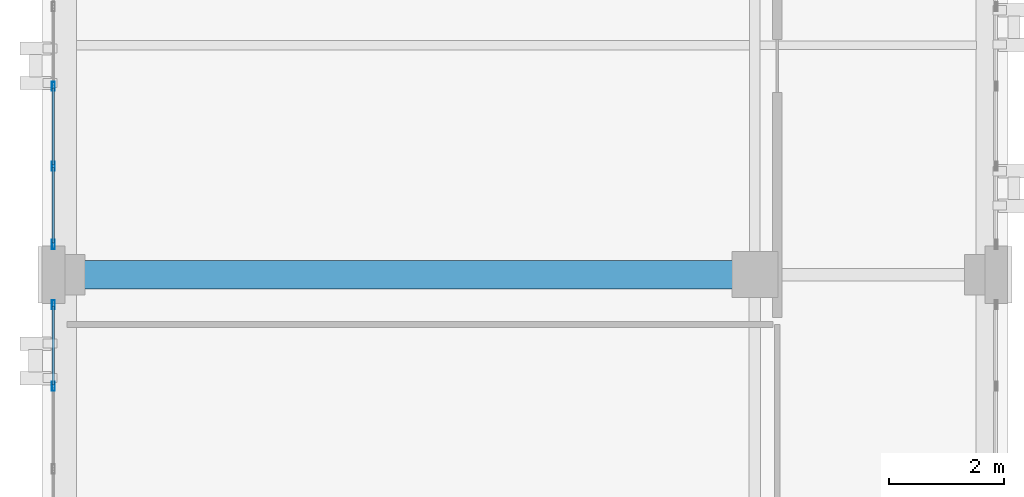
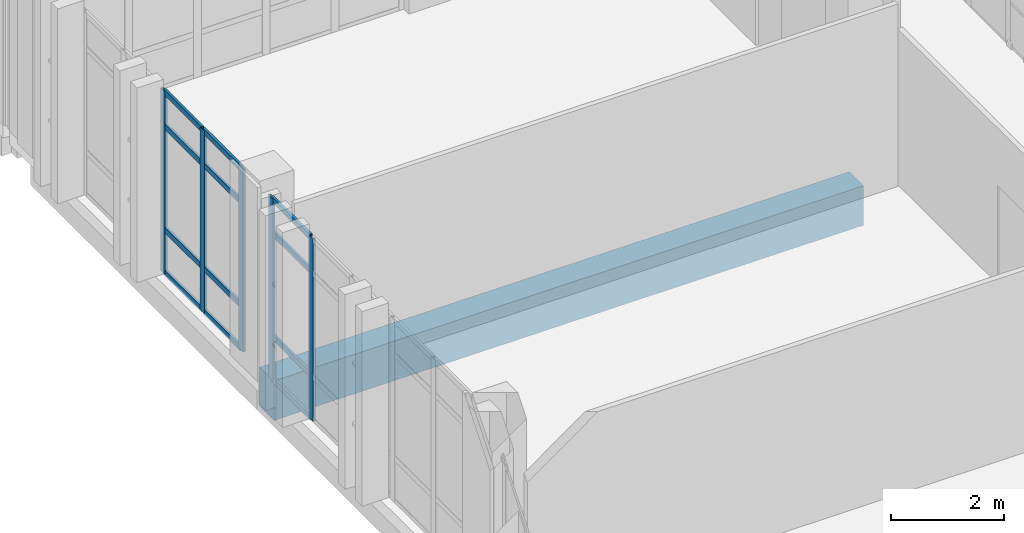
# One storey, part 72 of 158: 17 members, 1 beam, 2 elements without a shape of their own.
"""IFC4 building model written with IfcOpenShell, lengths in metres."""

from ifc_helpers import new_model, si_unit, direction, frame, origin, origin_2d, place, context, subcontext, project, spatial, rectangle, hollow_rectangle, extrude, material, layer, layer_set, material_profile, profile_set, type_object, element, aggregate, save


model = new_model("IFC4")

# Units and contexts
model_context = context("Model", 3, precision=1e-05, world=origin(), true_north=direction((0.0, 1.0)))
body_context = subcontext(model_context, "Body", "Model", "MODEL_VIEW")
ifc_project = project(units=[si_unit("LENGTHUNIT", "METRE"), si_unit("AREAUNIT", "SQUARE_METRE"), si_unit("VOLUMEUNIT", "CUBIC_METRE"), si_unit("PLANEANGLEUNIT", "RADIAN"), si_unit("MASSUNIT", "GRAM", prefix="KILO")], contexts=[model_context])

# Site, building, storey
site_placement = place(None, origin())
site = spatial("IfcSite", under=ifc_project, at=site_placement, CompositionType="ELEMENT")
building_placement = place(site_placement, origin())
building = spatial("IfcBuilding", under=site, at=building_placement, Name="Qalavern Law Courts", CompositionType="ELEMENT")
storey_placement = place(building_placement, frame((0.0, 0.0, 18.60009765625)))
storey = spatial("IfcBuildingStorey", under=building, at=storey_placement, Name="L04", CompositionType="ELEMENT", Elevation=18.60009765625)

# Curtain wall, members
ifc_material_1 = material(Name="Anodised aluminium and insulated glazing", Category="aluminium")
ifc_layer = layer(ifc_material_1, 0.159912109375)
ifc_layer_set = layer_set([ifc_layer], Name="Anodised aluminium and insulated glazing")
curtain_wall_type = type_object("IfcCurtainWallType", Name="ENV-CW-CHAMB", PredefinedType="USERDEFINED", material=ifc_layer_set)
curtain_wall_1_placement = place(storey_placement, origin())
curtain_wall_1 = element("IfcCurtainWall", 1, at=curtain_wall_1_placement, inside=storey, type_object=curtain_wall_type, Name="V3 unitised curtain wall L04 west 1", ObjectType="UNITISED CURTAIN WALL", PredefinedType="USERDEFINED")
ifc_material_2 = material(Name="Anodised aluminium", Category="aluminium")
ifc_material_profile_1 = material_profile(ifc_material_2, hollow_rectangle(XDim=0.048095703125, YDim=0.159912109375, WallThickness=0.00390625, at=origin_2d()), Name="ALU MULLION 48x160")
ifc_profile_set_1 = profile_set([ifc_material_profile_1], Name="Anodised aluminium")
member_type_1 = type_object("IfcMemberType", Name="ENV-CWM-48x160", PredefinedType="MULLION", material=ifc_profile_set_1)
member_1_placement = place(storey_placement, frame((2.199951171875, 90.8740234375, 0.0), z_axis=(0.0, 0.0, 1.0), x_axis=(1.0, 0.0, 0.0)))
member_1 = element("IfcMember", 2, at=member_1_placement, type_object=member_type_1, Name="CW-04 mullion 4", PredefinedType="MULLION", context=body_context, shape_type="SweptSolid", body=[
    extrude(hollow_rectangle(XDim=0.048095703125, YDim=0.159912109375, WallThickness=0.00390625, at=origin_2d()), origin(), (0.0, 0.0, 1.0), 3.9248046875),
])
member_2_placement = place(storey_placement, frame((2.199951171875, 89.487060546875, 0.0), z_axis=(0.0, 0.0, 1.0), x_axis=(1.0, 0.0, 0.0)))
member_2 = element("IfcMember", 3, at=member_2_placement, type_object=member_type_1, Name="CW-04 mullion 5", PredefinedType="MULLION", context=body_context, shape_type="SweptSolid", body=[
    extrude(hollow_rectangle(XDim=0.048095703125, YDim=0.159912109375, WallThickness=0.00390625, at=origin_2d()), origin(), (0.0, 0.0, 1.0), 3.9248046875),
])
member_3_placement = place(storey_placement, frame((2.199951171875, 88.1240234375, 0.0), z_axis=(0.0, 0.0, 1.0), x_axis=(1.0, 0.0, 0.0)))
member_3 = element("IfcMember", 4, at=member_3_placement, type_object=member_type_1, Name="CW-04 mullion 6", PredefinedType="MULLION", context=body_context, shape_type="SweptSolid", body=[
    extrude(hollow_rectangle(XDim=0.048095703125, YDim=0.159912109375, WallThickness=0.00390625, at=origin_2d()), origin(), (0.0, 0.0, 1.0), 3.9248046875),
])

curtain_wall_2_placement = place(storey_placement, origin())
curtain_wall_2 = element("IfcCurtainWall", 5, at=curtain_wall_2_placement, inside=storey, type_object=curtain_wall_type, Name="V3 unitised curtain wall L04 west 2", ObjectType="UNITISED CURTAIN WALL", PredefinedType="USERDEFINED")
member_4_placement = place(storey_placement, frame((2.199951171875, 87.075927734375, 0.0), z_axis=(0.0, 0.0, 1.0), x_axis=(1.0, 0.0, 0.0)))
member_4 = element("IfcMember", 6, at=member_4_placement, type_object=member_type_1, Name="CW-04 mullion 1", PredefinedType="MULLION", context=body_context, shape_type="SweptSolid", body=[
    extrude(hollow_rectangle(XDim=0.048095703125, YDim=0.159912109375, WallThickness=0.00390625, at=origin_2d()), origin(), (0.0, 0.0, 1.0), 3.9248046875),
])
member_5_placement = place(storey_placement, frame((2.199951171875, 85.659912109375, 0.0), z_axis=(0.0, 0.0, 1.0), x_axis=(1.0, 0.0, 0.0)))
member_5 = element("IfcMember", 7, at=member_5_placement, type_object=member_type_1, Name="CW-04 mullion 2", PredefinedType="MULLION", context=body_context, shape_type="SweptSolid", body=[
    extrude(hollow_rectangle(XDim=0.048095703125, YDim=0.159912109375, WallThickness=0.00390625, at=origin_2d()), origin(), (0.0, 0.0, 1.0), 3.9248046875),
])

# Member
ifc_material_profile_2 = material_profile(ifc_material_2, hollow_rectangle(XDim=0.048095703125, YDim=0.1201171875, WallThickness=0.00390625, at=origin_2d()), Name="ALU TRANSOM 48x120")
ifc_profile_set_2 = profile_set([ifc_material_profile_2], Name="Anodised aluminium")
member_type_2 = type_object("IfcMemberType", Name="ENV-CWT-48x120", PredefinedType="USERDEFINED", material=ifc_profile_set_2)
member_6_placement = place(storey_placement, frame((2.199951171875, 90.85009765625, 0.02392578125), z_axis=(0.0, -1.0, 0.0), x_axis=(1.0, 0.0, 0.0)))
member_6 = element("IfcMember", 8, at=member_6_placement, type_object=member_type_2, Name="CW-04 transom 4.1", ObjectType="TRANSOM", PredefinedType="USERDEFINED", context=body_context, shape_type="SweptSolid", body=[
    extrude(hollow_rectangle(XDim=0.048095703125, YDim=0.1201171875, WallThickness=0.00390625, at=origin_2d()), origin(), (0.0, 0.0, 1.0), 1.339111328125),
])

member_7_placement = place(storey_placement, frame((2.199951171875, 90.85009765625, 0.949951171875), z_axis=(0.0, -1.0, 0.0), x_axis=(1.0, 0.0, 0.0)))
member_7 = element("IfcMember", 9, at=member_7_placement, type_object=member_type_2, Name="CW-04 transom 4.2", ObjectType="TRANSOM", PredefinedType="USERDEFINED", context=body_context, shape_type="SweptSolid", body=[
    extrude(hollow_rectangle(XDim=0.048095703125, YDim=0.1201171875, WallThickness=0.00390625, at=origin_2d()), origin(), (0.0, 0.0, 1.0), 1.339111328125),
])

member_8_placement = place(storey_placement, frame((2.199951171875, 90.85009765625, 3.1748046875), z_axis=(0.0, -1.0, 0.0), x_axis=(1.0, 0.0, 0.0)))
member_8 = element("IfcMember", 10, at=member_8_placement, type_object=member_type_2, Name="CW-04 transom 4.3", ObjectType="TRANSOM", PredefinedType="USERDEFINED", context=body_context, shape_type="SweptSolid", body=[
    extrude(hollow_rectangle(XDim=0.048095703125, YDim=0.1201171875, WallThickness=0.00390625, at=origin_2d()), origin(), (0.0, 0.0, 1.0), 1.339111328125),
])

member_9_placement = place(storey_placement, frame((2.199951171875, 90.85009765625, 3.90087890625), z_axis=(0.0, -1.0, 0.0), x_axis=(1.0, 0.0, 0.0)))
member_9 = element("IfcMember", 11, at=member_9_placement, type_object=member_type_2, Name="CW-04 transom 4.4", ObjectType="TRANSOM", PredefinedType="USERDEFINED", context=body_context, shape_type="SweptSolid", body=[
    extrude(hollow_rectangle(XDim=0.048095703125, YDim=0.1201171875, WallThickness=0.00390625, at=origin_2d()), origin(), (0.0, 0.0, 1.0), 1.339111328125),
])

member_10_placement = place(storey_placement, frame((2.199951171875, 89.462890625, 0.02392578125), z_axis=(0.0, -1.0, 0.0), x_axis=(1.0, 0.0, 0.0)))
member_10 = element("IfcMember", 12, at=member_10_placement, type_object=member_type_2, Name="CW-04 transom 5.1", ObjectType="TRANSOM", PredefinedType="USERDEFINED", context=body_context, shape_type="SweptSolid", body=[
    extrude(hollow_rectangle(XDim=0.048095703125, YDim=0.1201171875, WallThickness=0.00390625, at=origin_2d()), origin(), (0.0, 0.0, 1.0), 1.31494140625),
])

member_11_placement = place(storey_placement, frame((2.199951171875, 89.462890625, 0.949951171875), z_axis=(0.0, -1.0, 0.0), x_axis=(1.0, 0.0, 0.0)))
member_11 = element("IfcMember", 13, at=member_11_placement, type_object=member_type_2, Name="CW-04 transom 5.2", ObjectType="TRANSOM", PredefinedType="USERDEFINED", context=body_context, shape_type="SweptSolid", body=[
    extrude(hollow_rectangle(XDim=0.048095703125, YDim=0.1201171875, WallThickness=0.00390625, at=origin_2d()), origin(), (0.0, 0.0, 1.0), 1.31494140625),
])

member_12_placement = place(storey_placement, frame((2.199951171875, 89.462890625, 3.1748046875), z_axis=(0.0, -1.0, 0.0), x_axis=(1.0, 0.0, 0.0)))
member_12 = element("IfcMember", 14, at=member_12_placement, type_object=member_type_2, Name="CW-04 transom 5.3", ObjectType="TRANSOM", PredefinedType="USERDEFINED", context=body_context, shape_type="SweptSolid", body=[
    extrude(hollow_rectangle(XDim=0.048095703125, YDim=0.1201171875, WallThickness=0.00390625, at=origin_2d()), origin(), (0.0, 0.0, 1.0), 1.31494140625),
])

member_13_placement = place(storey_placement, frame((2.199951171875, 89.462890625, 3.90087890625), z_axis=(0.0, -1.0, 0.0), x_axis=(1.0, 0.0, 0.0)))
member_13 = element("IfcMember", 15, at=member_13_placement, type_object=member_type_2, Name="CW-04 transom 5.4", ObjectType="TRANSOM", PredefinedType="USERDEFINED", context=body_context, shape_type="SweptSolid", body=[
    extrude(hollow_rectangle(XDim=0.048095703125, YDim=0.1201171875, WallThickness=0.00390625, at=origin_2d()), origin(), (0.0, 0.0, 1.0), 1.31494140625),
])

aggregate(curtain_wall_1, [member_1, member_2, member_3, member_6, member_7, member_8, member_9, member_10, member_11, member_12, member_13])

member_14_placement = place(storey_placement, frame((2.199951171875, 87.052001953125, 0.02392578125), z_axis=(0.0, -1.0, 0.0), x_axis=(1.0, 0.0, 0.0)))
member_14 = element("IfcMember", 16, at=member_14_placement, type_object=member_type_2, Name="CW-04 transom 1.1", ObjectType="TRANSOM", PredefinedType="USERDEFINED", context=body_context, shape_type="SweptSolid", body=[
    extrude(hollow_rectangle(XDim=0.048095703125, YDim=0.1201171875, WallThickness=0.00390625, at=origin_2d()), origin(), (0.0, 0.0, 1.0), 1.367919921875),
])

member_15_placement = place(storey_placement, frame((2.199951171875, 87.052001953125, 0.949951171875), z_axis=(0.0, -1.0, 0.0), x_axis=(1.0, 0.0, 0.0)))
member_15 = element("IfcMember", 17, at=member_15_placement, type_object=member_type_2, Name="CW-04 transom 1.2", ObjectType="TRANSOM", PredefinedType="USERDEFINED", context=body_context, shape_type="SweptSolid", body=[
    extrude(hollow_rectangle(XDim=0.048095703125, YDim=0.1201171875, WallThickness=0.00390625, at=origin_2d()), origin(), (0.0, 0.0, 1.0), 1.367919921875),
])

member_16_placement = place(storey_placement, frame((2.199951171875, 87.052001953125, 3.1748046875), z_axis=(0.0, -1.0, 0.0), x_axis=(1.0, 0.0, 0.0)))
member_16 = element("IfcMember", 18, at=member_16_placement, type_object=member_type_2, Name="CW-04 transom 1.3", ObjectType="TRANSOM", PredefinedType="USERDEFINED", context=body_context, shape_type="SweptSolid", body=[
    extrude(hollow_rectangle(XDim=0.048095703125, YDim=0.1201171875, WallThickness=0.00390625, at=origin_2d()), origin(), (0.0, 0.0, 1.0), 1.367919921875),
])

member_17_placement = place(storey_placement, frame((2.199951171875, 87.052001953125, 3.90087890625), z_axis=(0.0, -1.0, 0.0), x_axis=(1.0, 0.0, 0.0)))
member_17 = element("IfcMember", 19, at=member_17_placement, type_object=member_type_2, Name="CW-04 transom 1.4", ObjectType="TRANSOM", PredefinedType="USERDEFINED", context=body_context, shape_type="SweptSolid", body=[
    extrude(hollow_rectangle(XDim=0.048095703125, YDim=0.1201171875, WallThickness=0.00390625, at=origin_2d()), origin(), (0.0, 0.0, 1.0), 1.367919921875),
])

aggregate(curtain_wall_2, [member_4, member_5, member_14, member_15, member_16, member_17])

# Beam
ifc_material_3 = material(Name="Concrete C40/50", Category="concrete")
ifc_material_profile_3 = material_profile(ifc_material_3, rectangle(XDim=0.5, YDim=0.85009765625, at=origin_2d()), Name="RC 500x850")
ifc_profile_set_3 = profile_set([ifc_material_profile_3], Name="Concrete C40/50")
beam_type = type_object("IfcBeamType", Name="STR-BM-RC500x850", PredefinedType="BEAM", material=ifc_profile_set_3)
beam_placement = place(storey_placement, frame((2.39990234375, 87.60009765625, -0.705078125), z_axis=(1.0, 0.0, 0.0), x_axis=(0.0, 1.0, 0.0)))
element("IfcBeam", 20, at=beam_placement, inside=storey, type_object=beam_type, Name="V3 X-beam 7-1 L04", PredefinedType="BEAM", context=body_context, shape_type="SweptSolid", body=[
    extrude(rectangle(XDim=0.5, YDim=0.85009765625, at=origin_2d()), origin(), (0.0, 0.0, 1.0), 12.0),
])

save(model, "model.ifc")
